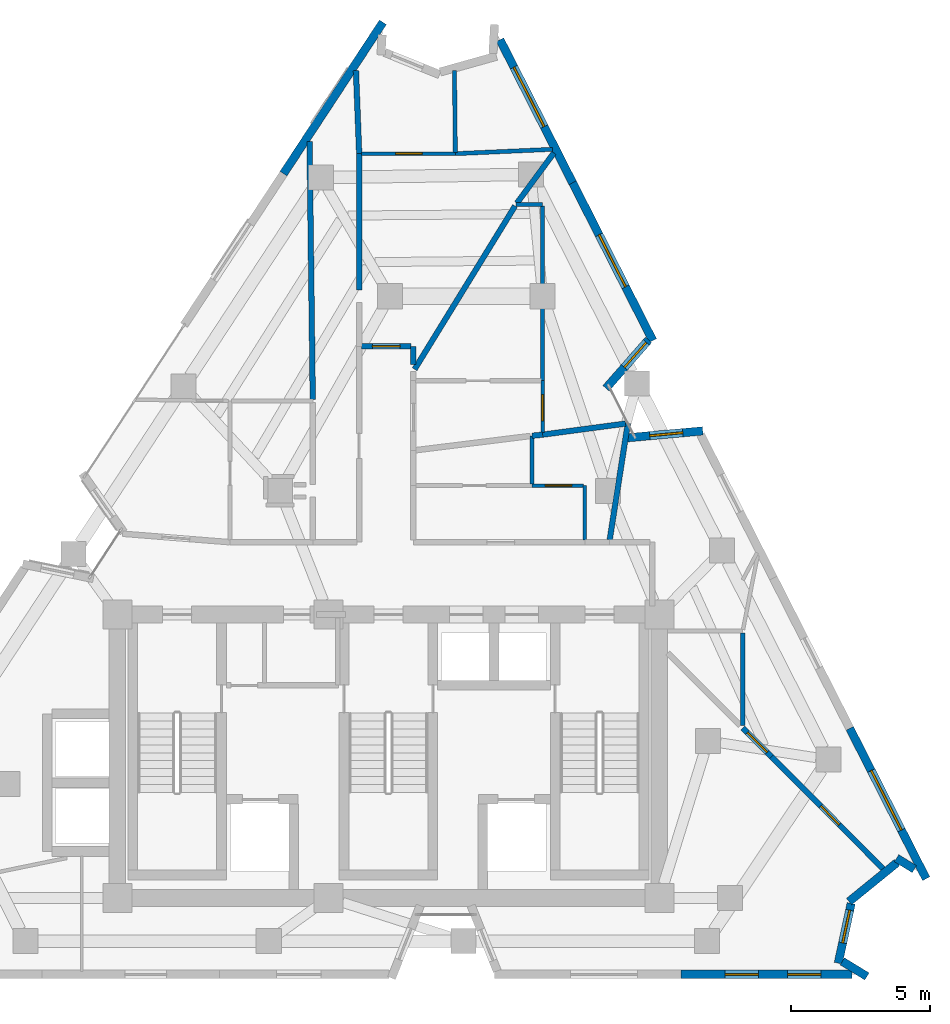
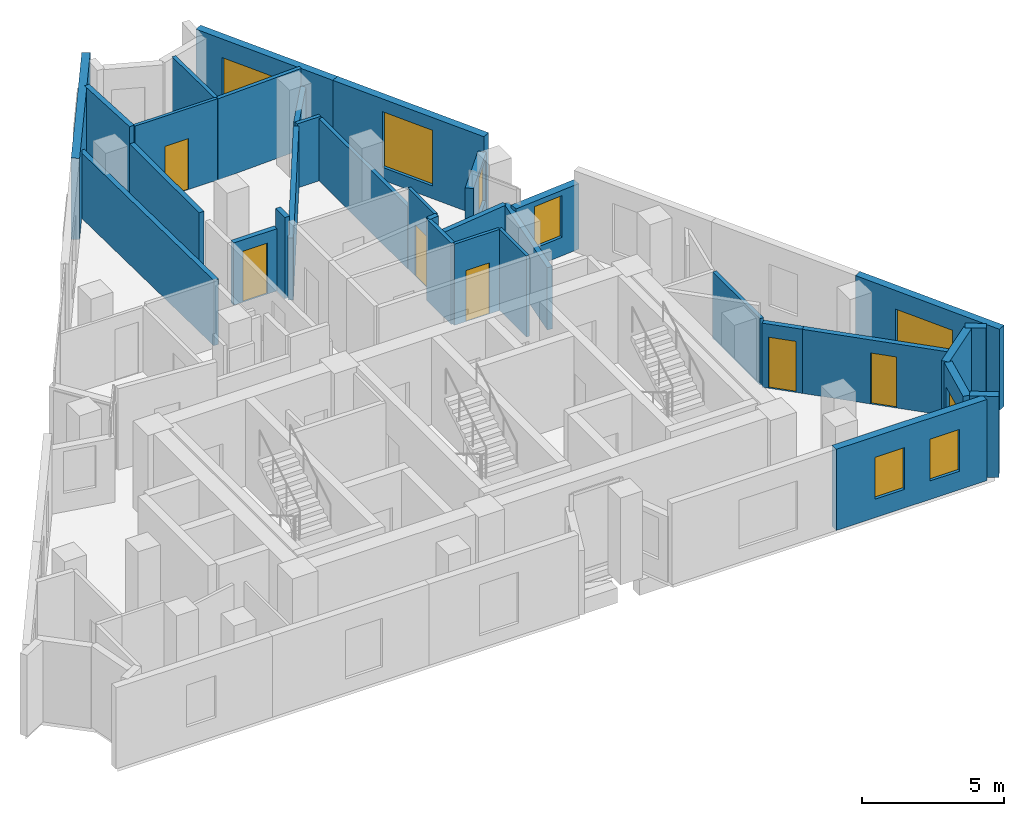
# One storey, part 7 of 9: 33 walls, 8 windows, 6 doors, 14 openings.
"""IFC4 building model written with IfcOpenShell, lengths in metres."""

import ifcopenshell
import ifcopenshell.guid

model = None  # the IFC model being written
_history = None  # IfcOwnerHistory: only IFC2X3 demands one
_inside = {}  # id of a spatial element -> (the spatial element, [elements in it])
_under = {}  # id of a project, library or spatial element -> (it, [spatial elements below it])
_declared = {}  # id of a project -> (the project, [libraries it declares])
_typed = {}  # id of a type object -> (the type object, [elements of that type])
_made_of = {}  # id of a material, layer set ... -> (it, [elements and type objects made of it])


def new_model(schema):
    """Start an empty IFC model of exactly this schema.

    Asked for "IFC4X3", IfcOpenShell would pick the latest addendum, in which some entities
    have other attributes; the version numbers below select the first issue.
    IFC2X3 requires an IfcOwnerHistory on every rooted entity: one is made here for all.
    """
    global model, _history
    if schema == "IFC4X3":
        model = ifcopenshell.file(schema_version=(4, 3, 0, 0))
    else:
        model = ifcopenshell.file(schema=schema)
    _inside.clear()
    _under.clear()
    _declared.clear()
    _typed.clear()
    _made_of.clear()
    _history = None
    if model.schema == "IFC2X3":
        org = make("IfcOrganization", Name="unknown")
        user = make(
            "IfcPersonAndOrganization",
            ThePerson=make("IfcPerson", FamilyName="unknown"),
            TheOrganization=org,
        )
        app = make(
            "IfcApplication",
            ApplicationDeveloper=org,
            Version="unknown",
            ApplicationFullName="unknown",
            ApplicationIdentifier="unknown",
        )
        _history = make(
            "IfcOwnerHistory",
            OwningUser=user,
            OwningApplication=app,
            ChangeAction="ADDED",
            CreationDate=0,
        )
    return model


def make(cls, **values):
    """One entity of the class cls with the attributes given. An attribute that is None is left unset."""
    return model.create_entity(
        cls, **{name: value for name, value in values.items() if value is not None}
    )


def rooted(cls, **values):
    """An entity with a GlobalId (a new one), such as an element, a storey or a relation."""
    return make(cls, GlobalId=ifcopenshell.guid.new(), OwnerHistory=_history, **values)


def si_unit(unit_type, name, prefix=None):
    """IfcSIUnit, for example si_unit("LENGTHUNIT", "METRE", prefix="MILLI")."""
    return make("IfcSIUnit", UnitType=unit_type, Prefix=prefix, Name=name)


def assignment(units):
    """IfcUnitAssignment: the units of a project."""
    return None if units is None else make("IfcUnitAssignment", Units=units)


def point(xyz):
    """IfcCartesianPoint."""
    return None if xyz is None else make("IfcCartesianPoint", Coordinates=xyz)


def direction(xyz):
    """IfcDirection."""
    return None if xyz is None else make("IfcDirection", DirectionRatios=xyz)


def frame(location, z_axis=None, x_axis=None):
    """IfcAxis2Placement3D, a coordinate frame: its origin and axes. An axis left out is left unset."""
    return make(
        "IfcAxis2Placement3D",
        Location=point(location),
        Axis=direction(z_axis),
        RefDirection=direction(x_axis),
    )


def frame_2d(location, x_axis=None):
    """IfcAxis2Placement2D, a coordinate frame in the plane: its origin and x axis."""
    return make(
        "IfcAxis2Placement2D", Location=point(location), RefDirection=direction(x_axis)
    )


def origin():
    """The frame at (0, 0, 0) with its axes left unset."""
    return frame((0.0, 0.0, 0.0))


def place(relative_to, where):
    """IfcLocalPlacement: puts the frame where relative to a parent placement (None: the world)."""
    return make(
        "IfcLocalPlacement", PlacementRelTo=relative_to, RelativePlacement=where
    )


def context(
    kind, dimensions, precision=None, world=None, true_north=None, identifier=None
):
    """IfcGeometricRepresentationContext, for example the 3D "Model" context."""
    return make(
        "IfcGeometricRepresentationContext",
        ContextIdentifier=identifier,
        ContextType=kind,
        CoordinateSpaceDimension=dimensions,
        Precision=precision,
        WorldCoordinateSystem=world,
        TrueNorth=true_north,
    )


def subcontext(parent, identifier, kind, view, scale=None):
    """IfcGeometricRepresentationSubContext, for example "Body" below "Model"."""
    return make(
        "IfcGeometricRepresentationSubContext",
        ContextIdentifier=identifier,
        ContextType=kind,
        ParentContext=parent,
        TargetScale=scale,
        TargetView=view,
    )


def project(units=None, contexts=None):
    """IfcProject with its units and contexts."""
    return rooted(
        "IfcProject",
        Name="project",
        RepresentationContexts=contexts,
        UnitsInContext=assignment(units),
    )


def spatial(cls, under=None, at=None, **own):
    """A site, building, storey or space (cls), placed at a placement, below another one or the project."""
    s = rooted(cls, ObjectPlacement=at, **own)
    if under is not None:
        _under.setdefault(under.id(), (under, []))[1].append(s)
    return s


def profile(cls, at=None, kind="AREA", **sizes):
    """A parametric profile (cls). Its sizes go by their IFC names, for example OverallWidth=200.0."""
    return make(cls, ProfileType=kind, Position=at, **sizes)


def rectangle(**sizes):
    """IfcRectangleProfileDef."""
    return profile("IfcRectangleProfileDef", **sizes)


def extrude(swept, where, along, depth):
    """IfcExtrudedAreaSolid: the profile swept, set in the frame where, extruded along a direction by depth."""
    return make(
        "IfcExtrudedAreaSolid",
        SweptArea=swept,
        Position=where,
        ExtrudedDirection=direction(along),
        Depth=depth,
    )


def shape(context_of_items, identifier, shape_type, items):
    """IfcShapeRepresentation: the items that make up one representation, for example the "Body"."""
    return make(
        "IfcShapeRepresentation",
        ContextOfItems=context_of_items,
        RepresentationIdentifier=identifier,
        RepresentationType=shape_type,
        Items=items,
    )


def material(Name=None, Category=None):
    """IfcMaterial."""
    return make("IfcMaterial", Name=Name, Category=Category)


def layer(
    of_material, thickness, ventilated=None, Name=None, Category=None, Priority=None
):
    """IfcMaterialLayer: one layer of a wall or slab, of a material (None: an air gap)."""
    return make(
        "IfcMaterialLayer",
        Material=of_material,
        LayerThickness=thickness,
        IsVentilated=ventilated,
        Name=Name,
        Category=Category,
        Priority=Priority,
    )


def layer_set(layers, Name=None):
    """IfcMaterialLayerSet."""
    return make("IfcMaterialLayerSet", MaterialLayers=layers, LayerSetName=Name)


def made_of(thing, what):
    """Note that an element or type object is made of a material, layer set ...; save() writes the relation."""
    if what is not None:
        _made_of.setdefault(what.id(), (what, []))[1].append(thing)
    return thing


def type_object(cls, material=None, **own):
    """A type object (cls), such as IfcWallType, which elements share."""
    return made_of(rooted(cls, **own), material)


def element(
    cls,
    number,
    at=None,
    inside=None,
    cuts=None,
    type_object=None,
    material=None,
    context=None,
    identifier="Body",
    shape_type=None,
    held_by="IfcProductDefinitionShape",
    body=None,
    shapes=None,
    **own,
):
    """One element of the class cls, such as IfcWall. Its Tag is "e" and its number.

    at: its placement. inside: the storey or other place that contains it. cuts: it is an
    opening in that element (IfcRelVoidsElement). A single representation is given by context,
    identifier, shape_type and body (its items); several are given by shapes. held_by: the class
    of the entity that holds the representations. save() writes the other relations.
    """
    e = rooted(cls, Tag="e%d" % number, ObjectPlacement=at, **own)
    if body is not None:
        shapes = [shape(context, identifier, shape_type, body)]
    if shapes is not None:
        e.Representation = make(held_by, Representations=shapes)
    if inside is not None:
        _inside.setdefault(inside.id(), (inside, []))[1].append(e)
    if cuts is not None:
        rooted(
            "IfcRelVoidsElement", RelatingBuildingElement=cuts, RelatedOpeningElement=e
        )
    if type_object is not None:
        _typed.setdefault(type_object.id(), (type_object, []))[1].append(e)
    return made_of(e, material)


def fill(opening, filler):
    """IfcRelFillsElement: the door or window that sits in an opening."""
    return rooted(
        "IfcRelFillsElement",
        RelatingOpeningElement=opening,
        RelatedBuildingElement=filler,
    )


def aggregate(whole, parts):
    """IfcRelAggregates: a whole, such as a stair, and the parts it consists of."""
    return rooted("IfcRelAggregates", RelatingObject=whole, RelatedObjects=parts)


def save(model, path):
    """Write the relations noted so far, then the file.

    IfcRelAggregates (storeys below a building ...), IfcRelContainedInSpatialStructure (elements
    in a storey), IfcRelDefinesByType, IfcRelAssociatesMaterial and IfcRelDeclares: one each for
    every whole, place, type object, material and project.
    """
    for whole, parts in _under.values():
        aggregate(whole, parts)
    for where, things in _inside.values():
        rooted(
            "IfcRelContainedInSpatialStructure",
            RelatedElements=things,
            RelatingStructure=where,
        )
    for kind, things in _typed.values():
        rooted("IfcRelDefinesByType", RelatedObjects=things, RelatingType=kind)
    for what, things in _made_of.values():
        rooted("IfcRelAssociatesMaterial", RelatedObjects=things, RelatingMaterial=what)
    for by, libraries in _declared.values():
        rooted("IfcRelDeclares", RelatingContext=by, RelatedDefinitions=libraries)
    model.write(path)


model = new_model("IFC4")

# Units and contexts
model_context = context("Model", 3, precision=1e-05, world=origin(), true_north=direction((0.0, 1.0)))
body_context = subcontext(model_context, "Body", "Model", "MODEL_VIEW")
ifc_project = project(units=[si_unit("LENGTHUNIT", "METRE"), si_unit("AREAUNIT", "SQUARE_METRE"), si_unit("VOLUMEUNIT", "CUBIC_METRE"), si_unit("PLANEANGLEUNIT", "RADIAN"), si_unit("MASSUNIT", "GRAM", prefix="KILO")], contexts=[model_context])

# Site, building, storey
site_placement = place(None, origin())
site = spatial("IfcSite", under=ifc_project, at=site_placement, CompositionType="ELEMENT")
building_placement = place(site_placement, origin())
building = spatial("IfcBuilding", under=site, at=building_placement, Name="Almagre Mirador Tower", CompositionType="ELEMENT")
storey_placement = place(building_placement, frame((0.0, 0.0, 244.5)))
storey = spatial("IfcBuildingStorey", under=building, at=storey_placement, Name="L63", CompositionType="ELEMENT", Elevation=244.5)

# Wall
ifc_material_1 = material(Name="Precast concrete C50/60", Category="concrete")
ifc_layer_1 = layer(ifc_material_1, 0.300048828125)
ifc_layer_set_1 = layer_set([ifc_layer_1], Name="Precast concrete C50/60")
wall_type_1 = type_object("IfcWallType", Name="WAL-EXT-300", PredefinedType="SOLIDWALL", material=ifc_layer_set_1)
wall_1_placement = place(storey_placement, frame((33.525634765625, 30.609619140625, 0.0), z_axis=(0.0, 0.0, 1.0), x_axis=(0.54904258564, 0.83579437612, 0.0)))
element("IfcWall", 1, at=wall_1_placement, inside=storey, type_object=wall_type_1, Name="L63 expressed almagre precast frame wall 04", PredefinedType="SOLIDWALL", context=body_context, shape_type="SweptSolid", body=[
    extrude(rectangle(XDim=6.517578125, YDim=0.300048828125, at=frame_2d((3.2587890625, 0.0))), origin(), (0.0, 0.0, 1.0), 3.5),
])

# Wall, opening, window
wall_2_placement = place(storey_placement, frame((41.318115234375, 35.42822265625, 0.0), z_axis=(0.0, 0.0, 1.0), x_axis=(0.452805674847, -0.891609231012, 0.0)))
wall_2 = element("IfcWall", 2, at=wall_2_placement, inside=storey, type_object=wall_type_1, Name="L63 expressed almagre precast frame wall 09", PredefinedType="SOLIDWALL", context=body_context, shape_type="SweptSolid", body=[
    extrude(rectangle(XDim=5.771240234375, YDim=0.300048828125, at=frame_2d((2.8857421875, 0.0))), origin(), (0.0, 0.0, 1.0), 3.5),
])
opening_1_placement = place(wall_2_placement, frame((1.10498046875, 0.0, 0.60009765625)))
opening_1 = element("IfcOpeningElement", 3, at=opening_1_placement, cuts=wall_2, Name="Opening WN-02", PredefinedType="OPENING", context=body_context, shape_type="SweptSolid", body=[
    extrude(rectangle(XDim=2.39990234375, YDim=2.10009765625, at=frame_2d((1.199951171875, 1.050048828125))), frame((0.0, 0.159902, 0.0), z_axis=(0.0, -1.0, 0.0), x_axis=(1.0, 0.0, 0.0)), (0.0, 0.0, 1.0), 0.320049),
])
ifc_material_2 = material(Name="Dark solar-control laminated hurricane glass", Category="glass")
window_type_1 = type_object("IfcWindowType", Name="WIN-2400X2100", PartitioningType="TRIPLE_PANEL_VERTICAL", PredefinedType="WINDOW", material=ifc_material_2)
window_1_placement = place(opening_1_placement, origin())
window_1 = element("IfcWindow", 4, at=window_1_placement, inside=storey, type_object=window_type_1, Name="L63 recessed hurricane window L63-UK-BT", OverallHeight=2.10009765625, OverallWidth=2.39990234375, PartitioningType="SINGLE_PANEL", PredefinedType="WINDOW", context=body_context, shape_type="SweptSolid", body=[
    extrude(rectangle(XDim=2.39990234375, YDim=2.10009765625, at=frame_2d((1.199951171875, 1.050048828125))), frame((0.0, 0.030029296875, 0.0), z_axis=(0.0, -1.0, 0.0), x_axis=(1.0, 0.0, 0.0)), (0.0, 0.0, 1.0), 0.06005859375),
])
fill(opening_1, window_1)

wall_3_placement = place(storey_placement, frame((43.931396484375, 30.282470703125, 0.0), z_axis=(0.0, 0.0, 1.0), x_axis=(0.452849489355, -0.891586978365, 0.0)))
wall_3 = element("IfcWall", 5, at=wall_3_placement, inside=storey, type_object=wall_type_1, Name="L63 expressed almagre precast frame wall 10", PredefinedType="SOLIDWALL", context=body_context, shape_type="SweptSolid", body=[
    extrude(rectangle(XDim=6.366455078125, YDim=0.300048828125, at=frame_2d((3.18310546875, 0.0))), origin(), (0.0, 0.0, 1.0), 3.5),
])
opening_2_placement = place(wall_3_placement, frame((2.10009765625, 0.0, 0.550048828125)))
opening_2 = element("IfcOpeningElement", 6, at=opening_2_placement, cuts=wall_3, Name="Opening WN-05", PredefinedType="OPENING", context=body_context, shape_type="SweptSolid", body=[
    extrude(rectangle(XDim=2.10009765625, YDim=2.39990234375, at=frame_2d((1.050048828125, 1.199951171875))), frame((0.0, 0.159902, 0.0), z_axis=(0.0, -1.0, 0.0), x_axis=(1.0, 0.0, 0.0)), (0.0, 0.0, 1.0), 0.320049),
])
ifc_material_3 = material(Name="Dark solar-control laminated hurricane glass", Category="glass")
window_type_2 = type_object("IfcWindowType", Name="WIN-2100X2400", PartitioningType="DOUBLE_PANEL_VERTICAL", PredefinedType="WINDOW", material=ifc_material_3)
window_2_placement = place(opening_2_placement, origin())
window_2 = element("IfcWindow", 7, at=window_2_placement, inside=storey, type_object=window_type_2, Name="L63 recessed hurricane window L63-UJ-KT", OverallHeight=2.39990234375, OverallWidth=2.10009765625, PartitioningType="SINGLE_PANEL", PredefinedType="WINDOW", context=body_context, shape_type="SweptSolid", body=[
    extrude(rectangle(XDim=2.10009765625, YDim=2.39990234375, at=frame_2d((1.050048828125, 1.199951171875))), frame((0.0, 0.030029296875, 0.0), z_axis=(0.0, -1.0, 0.0), x_axis=(1.0, 0.0, 0.0)), (0.0, 0.0, 1.0), 0.06005859375),
])
fill(opening_2, window_2)

wall_4_placement = place(storey_placement, frame((46.66162109375, 24.629638671875, 0.0), z_axis=(0.0, 0.0, 1.0), x_axis=(-0.660931713754, -0.750446047197, 0.0)))
wall_4 = element("IfcWall", 8, at=wall_4_placement, inside=storey, type_object=wall_type_1, Name="L63 expressed almagre precast frame wall 11", PredefinedType="SOLIDWALL", context=body_context, shape_type="SweptSolid", body=[
    extrude(rectangle(XDim=2.318359375, YDim=0.300048828125, at=frame_2d((1.1591796875, 0.0))), origin(), (0.0, 0.0, 1.0), 2.824951171875),
])
opening_3_placement = place(wall_4_placement, frame((0.1201171875, 0.0, 0.800048828125)))
opening_3 = element("IfcOpeningElement", 9, at=opening_3_placement, cuts=wall_4, Name="Opening WN-04", PredefinedType="OPENING", context=body_context, shape_type="SweptSolid", body=[
    extrude(rectangle(XDim=1.199951171875, YDim=1.800048828125, at=frame_2d((0.60009765625, 0.89990234375))), frame((0.0, 0.159902, 0.0), z_axis=(0.0, -1.0, 0.0), x_axis=(1.0, 0.0, 0.0)), (0.0, 0.0, 1.0), 0.320049),
])
ifc_material_4 = material(Name="Dark solar-control laminated hurricane glass", Category="glass")
window_type_3 = type_object("IfcWindowType", Name="WIN-1200X1800", PartitioningType="SINGLE_PANEL", PredefinedType="WINDOW", material=ifc_material_4)
window_3_placement = place(opening_3_placement, origin())
window_3 = element("IfcWindow", 10, at=window_3_placement, inside=storey, type_object=window_type_3, Name="L63 recessed hurricane window L63-UJ-KT", OverallHeight=1.800048828125, OverallWidth=1.199951171875, PartitioningType="SINGLE_PANEL", PredefinedType="WINDOW", context=body_context, shape_type="SweptSolid", body=[
    extrude(rectangle(XDim=1.199951171875, YDim=1.800048828125, at=frame_2d((0.60009765625, 0.89990234375))), frame((0.0, 0.030029296875, 0.0), z_axis=(0.0, -1.0, 0.0), x_axis=(1.0, 0.0, 0.0)), (0.0, 0.0, 1.0), 0.06005859375),
])
fill(opening_3, window_3)

wall_5_placement = place(storey_placement, frame((45.9111328125, 21.1083984375, 0.0), z_axis=(0.0, 0.0, 1.0), x_axis=(0.995831722453, 0.091209542029, 0.0)))
wall_5 = element("IfcWall", 11, at=wall_5_placement, inside=storey, type_object=wall_type_1, Name="L63 expressed almagre precast frame wall 12", PredefinedType="SOLIDWALL", context=body_context, shape_type="SweptSolid", body=[
    extrude(rectangle(XDim=2.71142578125, YDim=0.300048828125, at=frame_2d((1.355712890625, 0.0))), origin(), (0.0, 0.0, 1.0), 2.824951171875),
])
opening_4_placement = place(wall_5_placement, frame((0.79296875, 0.0, 0.800048828125)))
opening_4 = element("IfcOpeningElement", 12, at=opening_4_placement, cuts=wall_5, Name="Opening WN-04", PredefinedType="OPENING", context=body_context, shape_type="SweptSolid", body=[
    extrude(rectangle(XDim=1.199951171875, YDim=1.800048828125, at=frame_2d((0.60009765625, 0.89990234375))), frame((0.0, 0.159902, 0.0), z_axis=(0.0, -1.0, 0.0), x_axis=(1.0, 0.0, 0.0)), (0.0, 0.0, 1.0), 0.320049),
])
window_4_placement = place(opening_4_placement, origin())
window_4 = element("IfcWindow", 13, at=window_4_placement, inside=storey, type_object=window_type_3, Name="L63 recessed hurricane window L63-UE-ST", OverallHeight=1.800048828125, OverallWidth=1.199951171875, PartitioningType="SINGLE_PANEL", PredefinedType="WINDOW", context=body_context, shape_type="SweptSolid", body=[
    extrude(rectangle(XDim=1.199951171875, YDim=1.800048828125, at=frame_2d((0.60009765625, 0.89990234375))), frame((0.0, 0.030029296875, 0.0), z_axis=(0.0, -1.0, 0.0), x_axis=(1.0, 0.0, 0.0)), (0.0, 0.0, 1.0), 0.06005859375),
])
fill(opening_4, window_4)

wall_6_placement = place(storey_placement, frame((53.90380859375, 10.650146484375, 0.0), z_axis=(0.0, 0.0, 1.0), x_axis=(0.452886782758, -0.891568035544, 0.0)))
wall_6 = element("IfcWall", 14, at=wall_6_placement, inside=storey, type_object=wall_type_1, Name="L63 expressed almagre precast frame wall 15", PredefinedType="SOLIDWALL", context=body_context, shape_type="SweptSolid", body=[
    extrude(rectangle(XDim=6.066650390625, YDim=0.300048828125, at=frame_2d((3.033203125, 0.0))), origin(), (0.0, 0.0, 1.0), 3.5),
])
opening_5_placement = place(wall_6_placement, frame((1.699951171875, 0.0, 0.60009765625)))
opening_5 = element("IfcOpeningElement", 15, at=opening_5_placement, cuts=wall_6, Name="Opening WN-02", PredefinedType="OPENING", context=body_context, shape_type="SweptSolid", body=[
    extrude(rectangle(XDim=2.39990234375, YDim=2.10009765625, at=frame_2d((1.199951171875, 1.050048828125))), frame((0.0, 0.159902, 0.0), z_axis=(0.0, -1.0, 0.0), x_axis=(1.0, 0.0, 0.0)), (0.0, 0.0, 1.0), 0.320049),
])
window_5_placement = place(opening_5_placement, origin())
window_5 = element("IfcWindow", 16, at=window_5_placement, inside=storey, type_object=window_type_1, Name="L63 recessed hurricane window L63-UE-KT", OverallHeight=2.10009765625, OverallWidth=2.39990234375, PartitioningType="SINGLE_PANEL", PredefinedType="WINDOW", context=body_context, shape_type="SweptSolid", body=[
    extrude(rectangle(XDim=2.39990234375, YDim=2.10009765625, at=frame_2d((1.199951171875, 1.050048828125))), frame((0.0, 0.030029296875, 0.0), z_axis=(0.0, -1.0, 0.0), x_axis=(1.0, 0.0, 0.0)), (0.0, 0.0, 1.0), 0.06005859375),
])
fill(opening_5, window_5)

# Walls
wall_7_placement = place(storey_placement, frame((56.225830078125, 5.58837890625, 0.0), z_axis=(0.0, 0.0, 1.0), x_axis=(-0.851959856167, 0.523607107935, 0.0)))
element("IfcWall", 17, at=wall_7_placement, inside=storey, type_object=wall_type_1, Name="L63 expressed almagre precast frame wall 16", PredefinedType="SOLIDWALL", context=body_context, shape_type="SweptSolid", body=[
    extrude(rectangle(XDim=0.750244140625, YDim=0.300048828125, at=frame_2d((0.375, 0.0))), origin(), (0.0, 0.0, 1.0), 3.5),
])
wall_8_placement = place(storey_placement, frame((55.601318359375, 5.82275390625, 0.0), z_axis=(0.0, 0.0, 1.0), x_axis=(-0.775969517168, -0.630770408648, 0.0)))
element("IfcWall", 18, at=wall_8_placement, inside=storey, type_object=wall_type_1, Name="L63 expressed almagre precast frame wall 17", PredefinedType="SOLIDWALL", context=body_context, shape_type="SweptSolid", body=[
    extrude(rectangle(XDim=2.222900390625, YDim=0.300048828125, at=frame_2d((1.111328125, 0.0))), origin(), (0.0, 0.0, 1.0), 3.5),
])

# Wall, opening, window
wall_9_placement = place(storey_placement, frame((53.951416015625, 4.3525390625, 0.0), z_axis=(0.0, 0.0, 1.0), x_axis=(-0.210621406129, -0.977567707773, 0.0)))
wall_9 = element("IfcWall", 19, at=wall_9_placement, inside=storey, type_object=wall_type_1, Name="L63 expressed almagre precast frame wall 18", PredefinedType="SOLIDWALL", context=body_context, shape_type="SweptSolid", body=[
    extrude(rectangle(XDim=2.19775390625, YDim=0.300048828125, at=frame_2d((1.098876953125, 0.0))), origin(), (0.0, 0.0, 1.0), 3.5),
])
opening_6_placement = place(wall_9_placement, frame((0.25, 0.0, 0.800048828125)))
opening_6 = element("IfcOpeningElement", 20, at=opening_6_placement, cuts=wall_9, Name="Opening WN-04", PredefinedType="OPENING", context=body_context, shape_type="SweptSolid", body=[
    extrude(rectangle(XDim=1.199951171875, YDim=1.800048828125, at=frame_2d((0.60009765625, 0.89990234375))), frame((0.0, 0.159902, 0.0), z_axis=(0.0, -1.0, 0.0), x_axis=(1.0, 0.0, 0.0)), (0.0, 0.0, 1.0), 0.320049),
])
window_6_placement = place(opening_6_placement, origin())
window_6 = element("IfcWindow", 21, at=window_6_placement, inside=storey, type_object=window_type_3, Name="L63 recessed hurricane window L63-UC-KT", OverallHeight=1.800048828125, OverallWidth=1.199951171875, PartitioningType="SINGLE_PANEL", PredefinedType="WINDOW", context=body_context, shape_type="SweptSolid", body=[
    extrude(rectangle(XDim=1.199951171875, YDim=1.800048828125, at=frame_2d((0.60009765625, 0.89990234375))), frame((0.0, 0.030029296875, 0.0), z_axis=(0.0, -1.0, 0.0), x_axis=(1.0, 0.0, 0.0)), (0.0, 0.0, 1.0), 0.06005859375),
])
fill(opening_6, window_6)

# Wall
wall_10_placement = place(storey_placement, frame((53.633056640625, 2.2705078125, 0.0), z_axis=(0.0, 0.0, 1.0), x_axis=(0.852375061926, -0.522930926421, 0.0)))
element("IfcWall", 22, at=wall_10_placement, inside=storey, type_object=wall_type_1, Name="L63 expressed almagre precast frame wall 19", PredefinedType="SOLIDWALL", context=body_context, shape_type="SweptSolid", body=[
    extrude(rectangle(XDim=1.039794921875, YDim=0.300048828125, at=frame_2d((0.52001953125, 0.0))), origin(), (0.0, 0.0, 1.0), 3.5),
])

# Wall, openings, windows
wall_11_placement = place(storey_placement, frame((53.97509765625, 1.800048828125, 0.0), z_axis=(0.0, 0.0, 1.0), x_axis=(-1.0, 0.0, 0.0)))
wall_11 = element("IfcWall", 23, at=wall_11_placement, inside=storey, type_object=wall_type_1, Name="L63 expressed almagre precast frame wall 20", PredefinedType="SOLIDWALL", context=body_context, shape_type="SweptSolid", body=[
    extrude(rectangle(XDim=6.14306640625, YDim=0.300048828125, at=frame_2d((3.071533203125, 0.0))), origin(), (0.0, 0.0, 1.0), 3.5),
])
opening_7_placement = place(wall_11_placement, frame((1.110107421875, 0.0, 0.800048828125)))
opening_7 = element("IfcOpeningElement", 24, at=opening_7_placement, cuts=wall_11, Name="Opening WN-04", PredefinedType="OPENING", context=body_context, shape_type="SweptSolid", body=[
    extrude(rectangle(XDim=1.199951171875, YDim=1.800048828125, at=frame_2d((0.60009765625, 0.89990234375))), frame((0.0, 0.159902, 0.0), z_axis=(0.0, -1.0, 0.0), x_axis=(1.0, 0.0, 0.0)), (0.0, 0.0, 1.0), 0.320049),
])
opening_8_placement = place(wall_11_placement, frame((3.360107421875, 0.0, 0.800048828125)))
opening_8 = element("IfcOpeningElement", 25, at=opening_8_placement, cuts=wall_11, Name="Opening WN-04", PredefinedType="OPENING", context=body_context, shape_type="SweptSolid", body=[
    extrude(rectangle(XDim=1.199951171875, YDim=1.800048828125, at=frame_2d((0.60009765625, 0.89990234375))), frame((0.0, 0.159902, 0.0), z_axis=(0.0, -1.0, 0.0), x_axis=(1.0, 0.0, 0.0)), (0.0, 0.0, 1.0), 0.320049),
])
window_7_placement = place(opening_7_placement, origin())
window_7 = element("IfcWindow", 26, at=window_7_placement, inside=storey, type_object=window_type_3, Name="L63 recessed hurricane window L63-UC-KT", OverallHeight=1.800048828125, OverallWidth=1.199951171875, PartitioningType="SINGLE_PANEL", PredefinedType="WINDOW", context=body_context, shape_type="SweptSolid", body=[
    extrude(rectangle(XDim=1.199951171875, YDim=1.800048828125, at=frame_2d((0.60009765625, 0.89990234375))), frame((0.0, 0.030029296875, 0.0), z_axis=(0.0, -1.0, 0.0), x_axis=(1.0, 0.0, 0.0)), (0.0, 0.0, 1.0), 0.06005859375),
])
fill(opening_7, window_7)
window_8_placement = place(opening_8_placement, origin())
window_8 = element("IfcWindow", 27, at=window_8_placement, inside=storey, type_object=window_type_3, Name="L63 recessed hurricane window L63-UC-BT", OverallHeight=1.800048828125, OverallWidth=1.199951171875, PartitioningType="SINGLE_PANEL", PredefinedType="WINDOW", context=body_context, shape_type="SweptSolid", body=[
    extrude(rectangle(XDim=1.199951171875, YDim=1.800048828125, at=frame_2d((0.60009765625, 0.89990234375))), frame((0.0, 0.030029296875, 0.0), z_axis=(0.0, -1.0, 0.0), x_axis=(1.0, 0.0, 0.0)), (0.0, 0.0, 1.0), 0.06005859375),
])
fill(opening_8, window_8)

# Wall
ifc_material_5 = material(Name="Gypsum acoustic stud partition", Category="other")
ifc_layer_2 = layer(ifc_material_5, 0.125)
ifc_layer_set_2 = layer_set([ifc_layer_2], Name="Gypsum acoustic stud partition")
wall_type_2 = type_object("IfcWallType", Name="WAL-PRT-125-UTL", PredefinedType="PARTITIONING", material=ifc_layer_set_2)
wall_12_placement = place(storey_placement, frame((44.3701171875, 17.43505859375, 0.0), z_axis=(0.0, 0.0, 1.0), x_axis=(0.0, 1.0, 0.0)))
element("IfcWall", 28, at=wall_12_placement, inside=storey, type_object=wall_type_2, Name="L63 interior partition 043", PredefinedType="PARTITIONING", context=body_context, shape_type="SweptSolid", body=[
    extrude(rectangle(XDim=1.954833984375, YDim=0.125, at=frame_2d((0.9775390625, 0.0))), origin(), (0.0, 0.0, 1.0), 3.5),
])

# Wall, opening, door
wall_13_placement = place(storey_placement, frame((44.322509765625, 19.389892578125, 0.0), z_axis=(0.0, 0.0, 1.0), x_axis=(-1.0, 0.0, 0.0)))
wall_13 = element("IfcWall", 29, at=wall_13_placement, inside=storey, type_object=wall_type_2, Name="L63 interior partition 044", PredefinedType="PARTITIONING", context=body_context, shape_type="SweptSolid", body=[
    extrude(rectangle(XDim=1.8525390625, YDim=0.125, at=frame_2d((0.92626953125, 0.0))), origin(), (0.0, 0.0, 1.0), 3.5),
])
opening_9_placement = place(wall_13_placement, frame((0.427490234375, 0.0, 0.0)))
opening_9 = element("IfcOpeningElement", 30, at=opening_9_placement, cuts=wall_13, Name="Opening UD-01", PredefinedType="OPENING", context=body_context, shape_type="SweptSolid", body=[
    extrude(rectangle(XDim=0.949951171875, YDim=2.199951171875, at=frame_2d((0.47509765625, 1.10009765625))), frame((0.0, 0.0725, 0.0), z_axis=(0.0, -1.0, 0.0), x_axis=(1.0, 0.0, 0.0)), (0.0, 0.0, 1.0), 0.145),
])
ifc_material_6 = material(Name="Solid American walnut timber", Category="wood")
door_type_1 = type_object("IfcDoorType", Name="DOR-UNR-950X2200", OperationType="NOTDEFINED", PredefinedType="DOOR", material=ifc_material_6)
door_1_placement = place(opening_9_placement, origin())
door_1 = element("IfcDoor", 31, at=door_1_placement, inside=storey, type_object=door_type_1, Name="DR-1942 L63 interior door L63-UF-ST to L63-UF-KT", OperationType="SINGLE_SWING_LEFT", OverallHeight=2.199951171875, OverallWidth=0.949951171875, PredefinedType="DOOR", context=body_context, shape_type="SweptSolid", body=[
    extrude(rectangle(XDim=0.949951171875, YDim=2.199951171875, at=frame_2d((0.47509765625, 1.10009765625))), frame((0.0, 0.02490234375, 0.0), z_axis=(0.0, -1.0, 0.0), x_axis=(1.0, 0.0, 0.0)), (0.0, 0.0, 1.0), 0.050048828125),
])
fill(opening_9, door_1)

wall_14_placement = place(storey_placement, frame((42.85009765625, 21.304931640625, 0.0), z_axis=(0.0, 0.0, 1.0), x_axis=(0.0, 1.0, 0.0)))
wall_14 = element("IfcWall", 32, at=wall_14_placement, inside=storey, type_object=wall_type_2, Name="L63 interior partition 059", PredefinedType="PARTITIONING", context=body_context, shape_type="SweptSolid", body=[
    extrude(rectangle(XDim=1.85498046875, YDim=0.125, at=frame_2d((0.927490234375, 0.0))), origin(), (0.0, 0.0, 1.0), 3.5),
])
opening_10_placement = place(wall_14_placement, frame((0.409912109375, 0.0, 0.0)))
opening_10 = element("IfcOpeningElement", 33, at=opening_10_placement, cuts=wall_14, Name="Opening UD-01", PredefinedType="OPENING", context=body_context, shape_type="SweptSolid", body=[
    extrude(rectangle(XDim=0.949951171875, YDim=2.199951171875, at=frame_2d((0.47509765625, 1.10009765625))), frame((0.0, 0.0725, 0.0), z_axis=(0.0, -1.0, 0.0), x_axis=(1.0, 0.0, 0.0)), (0.0, 0.0, 1.0), 0.145),
])
door_2_placement = place(opening_10_placement, origin())
door_2 = element("IfcDoor", 34, at=door_2_placement, inside=storey, type_object=door_type_1, Name="DR-1948 L63 interior door L63-UJ-ST to L63-UJ-KT", OperationType="SINGLE_SWING_LEFT", OverallHeight=2.199951171875, OverallWidth=0.949951171875, PredefinedType="DOOR", context=body_context, shape_type="SweptSolid", body=[
    extrude(rectangle(XDim=0.949951171875, YDim=2.199951171875, at=frame_2d((0.47509765625, 1.10009765625))), frame((0.0, 0.02490234375, 0.0), z_axis=(0.0, -1.0, 0.0), x_axis=(1.0, 0.0, 0.0)), (0.0, 0.0, 1.0), 0.050048828125),
])
fill(opening_10, door_2)

wall_15_placement = place(storey_placement, frame((39.7099609375, 31.330078125, 0.0), z_axis=(0.0, 0.0, 1.0), x_axis=(-1.0, 0.0, 0.0)))
wall_15 = element("IfcWall", 35, at=wall_15_placement, inside=storey, type_object=wall_type_2, Name="L63 interior partition 065", PredefinedType="PARTITIONING", context=body_context, shape_type="SweptSolid", body=[
    extrude(rectangle(XDim=3.375, YDim=0.125, at=frame_2d((1.6875, 0.0))), origin(), (0.0, 0.0, 1.0), 3.5),
])
opening_11_placement = place(wall_15_placement, frame((1.1962890625, 0.0, 0.0)))
opening_11 = element("IfcOpeningElement", 36, at=opening_11_placement, cuts=wall_15, Name="Opening UD-01", PredefinedType="OPENING", context=body_context, shape_type="SweptSolid", body=[
    extrude(rectangle(XDim=0.949951171875, YDim=2.199951171875, at=frame_2d((0.47509765625, 1.10009765625))), frame((0.0, 0.0725, 0.0), z_axis=(0.0, -1.0, 0.0), x_axis=(1.0, 0.0, 0.0)), (0.0, 0.0, 1.0), 0.145),
])
door_3_placement = place(opening_11_placement, origin())
door_3 = element("IfcDoor", 37, at=door_3_placement, inside=storey, type_object=door_type_1, Name="DR-1951 L63 interior door L63-UK-ST to L63-UK-KT", OperationType="SINGLE_SWING_RIGHT", OverallHeight=2.199951171875, OverallWidth=0.949951171875, PredefinedType="DOOR", context=body_context, shape_type="SweptSolid", body=[
    extrude(rectangle(XDim=0.949951171875, YDim=2.199951171875, at=frame_2d((0.47509765625, 1.10009765625))), frame((0.0, 0.02490234375, 0.0), z_axis=(0.0, -1.0, 0.0), x_axis=(1.0, 0.0, 0.0)), (0.0, 0.0, 1.0), 0.050048828125),
])
fill(opening_11, door_3)

# Walls
ifc_material_7 = material(Name="Gypsum acoustic stud partition", Category="other")
ifc_layer_3 = layer(ifc_material_7, 0.14990234375)
ifc_layer_set_3 = layer_set([ifc_layer_3], Name="Gypsum acoustic stud partition")
wall_type_3 = type_object("IfcWallType", Name="WAL-PRT-150-STD", PredefinedType="PARTITIONING", material=ifc_layer_set_3)
wall_16_placement = place(storey_placement, frame((50.050048828125, 10.7548828125, 0.0), z_axis=(0.0, 0.0, 1.0), x_axis=(0.0, 1.0, 0.0)))
element("IfcWall", 38, at=wall_16_placement, inside=storey, type_object=wall_type_3, Name="L63 interior partition 042", PredefinedType="PARTITIONING", context=body_context, shape_type="SweptSolid", body=[
    extrude(rectangle(XDim=3.335205078125, YDim=0.14990234375, at=frame_2d((1.66748046875, 0.0))), origin(), (0.0, 0.0, 1.0), 2.862060546875),
])
wall_17_placement = place(storey_placement, frame((42.469970703125, 21.179931640625, 0.0), z_axis=(0.0, 0.0, 1.0), x_axis=(0.0, -1.0, 0.0)))
element("IfcWall", 39, at=wall_17_placement, inside=storey, type_object=wall_type_3, Name="L63 interior partition 046", PredefinedType="PARTITIONING", context=body_context, shape_type="SweptSolid", body=[
    extrude(rectangle(XDim=1.742431640625, YDim=0.14990234375, at=frame_2d((0.87109375, 0.0))), origin(), (0.0, 0.0, 1.0), 3.5),
])
wall_18_placement = place(storey_placement, frame((41.889892578125, 29.5, 0.0), z_axis=(0.0, 0.0, 1.0), x_axis=(1.0, 0.0, 0.0)))
element("IfcWall", 40, at=wall_18_placement, inside=storey, type_object=wall_type_3, Name="L63 interior partition 061", PredefinedType="PARTITIONING", context=body_context, shape_type="SweptSolid", body=[
    extrude(rectangle(XDim=0.960205078125, YDim=0.14990234375, at=frame_2d((0.47998046875, 0.0))), origin(), (0.0, 0.0, 1.0), 2.763916015625),
])
wall_19_placement = place(storey_placement, frame((42.85009765625, 29.43994140625, 0.0), z_axis=(0.0, 0.0, 1.0), x_axis=(0.0, -1.0, 0.0)))
element("IfcWall", 41, at=wall_19_placement, inside=storey, type_object=wall_type_3, Name="L63 interior partition 062", PredefinedType="PARTITIONING", context=body_context, shape_type="SweptSolid", body=[
    extrude(rectangle(XDim=6.267333984375, YDim=0.14990234375, at=frame_2d((3.1337890625, 0.0))), origin(), (0.0, 0.0, 1.0), 2.68505859375),
])
wall_20_placement = place(storey_placement, frame((43.205078125, 31.486083984375, 0.0), z_axis=(0.0, 0.0, 1.0), x_axis=(-0.999005327768, -0.044590975443, 0.0)))
element("IfcWall", 42, at=wall_20_placement, inside=storey, type_object=wall_type_3, Name="L63 interior partition 066", PredefinedType="PARTITIONING", context=body_context, shape_type="SweptSolid", body=[
    extrude(rectangle(XDim=3.49853515625, YDim=0.14990234375, at=frame_2d((1.749267578125, 0.0))), origin(), (0.0, 0.0, 1.0), 3.5),
])
wall_21_placement = place(storey_placement, frame((39.709716796875, 31.37744140625, 0.0), z_axis=(0.0, 0.0, 1.0), x_axis=(-0.010803890684, 0.99994163627, 0.0)))
element("IfcWall", 43, at=wall_21_placement, inside=storey, type_object=wall_type_3, Name="L63 interior partition 067", PredefinedType="PARTITIONING", context=body_context, shape_type="SweptSolid", body=[
    extrude(rectangle(XDim=2.937744140625, YDim=0.14990234375, at=frame_2d((1.46875, 0.0))), origin(), (0.0, 0.0, 1.0), 3.5),
])
ifc_material_8 = material(Name="Gypsum acoustic stud partition", Category="other")
ifc_layer_4 = layer(ifc_material_8, 0.199951171875)
ifc_layer_set_4 = layer_set([ifc_layer_4], Name="Gypsum acoustic stud partition")
wall_type_4 = type_object("IfcWallType", Name="WAL-PRT-200-EI60", PredefinedType="PARTITIONING", material=ifc_layer_set_4)
wall_22_placement = place(storey_placement, frame((38.199951171875, 23.7451171875, 0.0), z_axis=(0.0, 0.0, 1.0), x_axis=(0.0, 1.0, 0.0)))
element("IfcWall", 44, at=wall_22_placement, inside=storey, type_object=wall_type_4, Name="L63 interior partition 014", PredefinedType="PARTITIONING", context=body_context, shape_type="SweptSolid", body=[
    extrude(rectangle(XDim=0.65478515625, YDim=0.199951171875, at=frame_2d((0.327392578125, 0.0))), origin(), (0.0, 0.0, 1.0), 3.5),
])

# Wall, opening, door
wall_23_placement = place(storey_placement, frame((38.114990234375, 24.39990234375, 0.0), z_axis=(0.0, 0.0, 1.0), x_axis=(-1.0, 0.0, 0.0)))
wall_23 = element("IfcWall", 45, at=wall_23_placement, inside=storey, type_object=wall_type_4, Name="L63 interior partition 015", PredefinedType="PARTITIONING", context=body_context, shape_type="SweptSolid", body=[
    extrude(rectangle(XDim=1.780029296875, YDim=0.199951171875, at=frame_2d((0.89013671875, 0.0))), origin(), (0.0, 0.0, 1.0), 2.68505859375),
])
opening_12_placement = place(wall_23_placement, frame((0.389892578125, 0.0, 0.0)))
opening_12 = element("IfcOpeningElement", 46, at=opening_12_placement, cuts=wall_23, Name="Opening ID-01", PredefinedType="OPENING", context=body_context, shape_type="SweptSolid", body=[
    extrude(rectangle(XDim=1.0, YDim=2.199951171875, at=frame_2d((0.5, 1.10009765625))), frame((0.0, 0.110098, 0.0), z_axis=(0.0, -1.0, 0.0), x_axis=(1.0, 0.0, 0.0)), (0.0, 0.0, 1.0), 0.219951),
])
ifc_material_9 = material(Name="Fire-rated walnut timber", Category="wood")
door_type_2 = type_object("IfcDoorType", Name="DOR-FD60-1000X2200", OperationType="NOTDEFINED", PredefinedType="DOOR", material=ifc_material_9)
door_4_placement = place(opening_12_placement, origin())
door_4 = element("IfcDoor", 47, at=door_4_placement, inside=storey, type_object=door_type_2, Name="DR-1950 L63 interior door L63-RCOR to L63-UK-ST", OperationType="SINGLE_SWING_LEFT", OverallHeight=2.199951171875, OverallWidth=1.0, PredefinedType="DOOR", context=body_context, shape_type="SweptSolid", body=[
    extrude(rectangle(XDim=1.0, YDim=2.199951171875, at=frame_2d((0.5, 1.10009765625))), frame((0.0, 0.02490234375, 0.0), z_axis=(0.0, -1.0, 0.0), x_axis=(1.0, 0.0, 0.0)), (0.0, 0.0, 1.0), 0.050048828125),
])
fill(opening_12, door_4)

wall_24_placement = place(storey_placement, frame((51.090087890625, 9.6298828125, 0.0), z_axis=(0.0, 0.0, 1.0), x_axis=(-0.707106781187, 0.707106781187, 0.0)))
wall_24 = element("IfcWall", 48, at=wall_24_placement, inside=storey, type_object=wall_type_4, Name="L63 interior partition 033", PredefinedType="PARTITIONING", context=body_context, shape_type="SweptSolid", body=[
    extrude(rectangle(XDim=1.470947265625, YDim=0.199951171875, at=frame_2d((0.7353515625, 0.0))), origin(), (0.0, 0.0, 1.0), 2.763916015625),
])
opening_13_placement = place(wall_24_placement, frame((0.2353515625, 0.0, 0.0)))
opening_13 = element("IfcOpeningElement", 49, at=opening_13_placement, cuts=wall_24, Name="Opening ID-01", PredefinedType="OPENING", context=body_context, shape_type="SweptSolid", body=[
    extrude(rectangle(XDim=1.0, YDim=2.199951171875, at=frame_2d((0.5, 1.10009765625))), frame((0.0, 0.110098, 0.0), z_axis=(0.0, -1.0, 0.0), x_axis=(1.0, 0.0, 0.0)), (0.0, 0.0, 1.0), 0.219951),
])
door_5_placement = place(opening_13_placement, origin())
door_5 = element("IfcDoor", 50, at=door_5_placement, inside=storey, type_object=door_type_2, Name="DR-1952 L63 interior door L63-UC-ST to L63-UE-KT", OperationType="SINGLE_SWING_LEFT", OverallHeight=2.199951171875, OverallWidth=1.0, PredefinedType="DOOR", context=body_context, shape_type="SweptSolid", body=[
    extrude(rectangle(XDim=1.0, YDim=2.199951171875, at=frame_2d((0.5, 1.10009765625))), frame((0.0, 0.02490234375, 0.0), z_axis=(0.0, -1.0, 0.0), x_axis=(1.0, 0.0, 0.0)), (0.0, 0.0, 1.0), 0.050048828125),
])
fill(opening_13, door_5)

wall_25_placement = place(storey_placement, frame((55.133056640625, 5.569091796875, 0.0), z_axis=(0.0, 0.0, 1.0), x_axis=(-0.70554996404, 0.708660178254, 0.0)))
wall_25 = element("IfcWall", 51, at=wall_25_placement, inside=storey, type_object=wall_type_4, Name="L63 interior partition 035", PredefinedType="PARTITIONING", context=body_context, shape_type="SweptSolid", body=[
    extrude(rectangle(XDim=5.730224609375, YDim=0.199951171875, at=frame_2d((2.865234375, 0.0))), origin(), (0.0, 0.0, 1.0), 2.763916015625),
])
opening_14_placement = place(wall_25_placement, frame((2.281494140625, 0.0, 0.0)))
opening_14 = element("IfcOpeningElement", 52, at=opening_14_placement, cuts=wall_25, Name="Opening UD-01", PredefinedType="OPENING", context=body_context, shape_type="SweptSolid", body=[
    extrude(rectangle(XDim=0.949951171875, YDim=2.199951171875, at=frame_2d((0.47509765625, 1.10009765625))), frame((0.0, 0.110098, 0.0), z_axis=(0.0, -1.0, 0.0), x_axis=(1.0, 0.0, 0.0)), (0.0, 0.0, 1.0), 0.219951),
])
door_6_placement = place(opening_14_placement, origin())
door_6 = element("IfcDoor", 53, at=door_6_placement, inside=storey, type_object=door_type_1, Name="DR-1953 L63 interior door L63-UE-KT to L63-UC-KT", OperationType="SINGLE_SWING_LEFT", OverallHeight=2.199951171875, OverallWidth=0.949951171875, PredefinedType="DOOR", context=body_context, shape_type="SweptSolid", body=[
    extrude(rectangle(XDim=0.949951171875, YDim=2.199951171875, at=frame_2d((0.47509765625, 1.10009765625))), frame((0.0, 0.02490234375, 0.0), z_axis=(0.0, -1.0, 0.0), x_axis=(1.0, 0.0, 0.0)), (0.0, 0.0, 1.0), 0.050048828125),
])
fill(opening_14, door_6)

# Walls
wall_26_placement = place(storey_placement, frame((45.916015625, 21.62890625, 0.0), z_axis=(0.0, 0.0, 1.0), x_axis=(-0.153776880835, -0.98810559705, 0.0)))
element("IfcWall", 54, at=wall_26_placement, inside=storey, type_object=wall_type_4, Name="L63 interior partition 041", PredefinedType="PARTITIONING", context=body_context, shape_type="SweptSolid", body=[
    extrude(rectangle(XDim=4.245361328125, YDim=0.199951171875, at=frame_2d((2.12255859375, 0.0))), origin(), (0.0, 0.0, 1.0), 2.68505859375),
])
wall_27_placement = place(storey_placement, frame((42.85009765625, 21.219970703125, 0.0), z_axis=(0.0, 0.0, 1.0), x_axis=(-0.994498450947, -0.104751281924, 0.0)))
element("IfcWall", 55, at=wall_27_placement, inside=storey, type_object=wall_type_4, Name="L63 interior partition 047", PredefinedType="PARTITIONING", context=body_context, shape_type="SweptSolid", body=[
    extrude(rectangle(XDim=0.38232421875, YDim=0.199951171875, at=frame_2d((0.191162109375, 0.0))), origin(), (0.0, 0.0, 1.0), 3.5),
])
wall_28_placement = place(storey_placement, frame((45.831787109375, 21.617919921875, 0.0), z_axis=(0.0, 0.0, 1.0), x_axis=(-0.991210880703, -0.132291307258, 0.0)))
element("IfcWall", 56, at=wall_28_placement, inside=storey, type_object=wall_type_4, Name="L63 interior partition 048", PredefinedType="PARTITIONING", context=body_context, shape_type="SweptSolid", body=[
    extrude(rectangle(XDim=3.008056640625, YDim=0.199951171875, at=frame_2d((1.50390625, 0.0))), origin(), (0.0, 0.0, 1.0), 2.68505859375),
])
wall_29_placement = place(storey_placement, frame((34.57958984375, 22.489990234375, 0.0), z_axis=(0.0, 0.0, 1.0), x_axis=(-0.012437568403, 0.999922650455, 0.0)))
element("IfcWall", 57, at=wall_29_placement, inside=storey, type_object=wall_type_4, Name="L63 interior partition 055", PredefinedType="PARTITIONING", context=body_context, shape_type="SweptSolid", body=[
    extrude(rectangle(XDim=9.28466796875, YDim=0.199951171875, at=frame_2d((4.642333984375, 0.0))), origin(), (0.0, 0.0, 1.0), 2.820068359375),
])
wall_30_placement = place(storey_placement, frame((36.25, 26.419921875, 0.0), z_axis=(0.0, 0.0, 1.0), x_axis=(0.0, 1.0, 0.0)))
element("IfcWall", 58, at=wall_30_placement, inside=storey, type_object=wall_type_4, Name="L63 interior partition 057", PredefinedType="PARTITIONING", context=body_context, shape_type="SweptSolid", body=[
    extrude(rectangle(XDim=4.91015625, YDim=0.199951171875, at=frame_2d((2.455078125, 0.0))), origin(), (0.0, 0.0, 1.0), 2.763916015625),
])
wall_31_placement = place(storey_placement, frame((36.25, 31.330078125, 0.0), z_axis=(0.0, 0.0, 1.0), x_axis=(-0.03879699026, 0.999247113354, 0.0)))
element("IfcWall", 59, at=wall_31_placement, inside=storey, type_object=wall_type_4, Name="L63 interior partition 058", PredefinedType="PARTITIONING", context=body_context, shape_type="SweptSolid", body=[
    extrude(rectangle(XDim=2.989013671875, YDim=0.199951171875, at=frame_2d((1.49462890625, 0.0))), origin(), (0.0, 0.0, 1.0), 3.5),
])
wall_32_placement = place(storey_placement, frame((43.25390625, 31.35595703125, 0.0), z_axis=(0.0, 0.0, 1.0), x_axis=(-0.59236344116, -0.805670871744, 0.0)))
element("IfcWall", 60, at=wall_32_placement, inside=storey, type_object=wall_type_4, Name="L63 interior partition 063", PredefinedType="PARTITIONING", context=body_context, shape_type="SweptSolid", body=[
    extrude(rectangle(XDim=2.243408203125, YDim=0.199951171875, at=frame_2d((1.12158203125, 0.0))), origin(), (0.0, 0.0, 1.0), 2.763916015625),
])
wall_33_placement = place(storey_placement, frame((41.858642578125, 29.448974609375, 0.0), z_axis=(0.0, 0.0, 1.0), x_axis=(-0.523884169869, -0.851789514235, 0.0)))
element("IfcWall", 61, at=wall_33_placement, inside=storey, type_object=wall_type_4, Name="L63 interior partition 064", PredefinedType="PARTITIONING", context=body_context, shape_type="SweptSolid", body=[
    extrude(rectangle(XDim=6.89892578125, YDim=0.199951171875, at=frame_2d((3.449462890625, 0.0))), origin(), (0.0, 0.0, 1.0), 2.68505859375),
])

save(model, "model.ifc")
